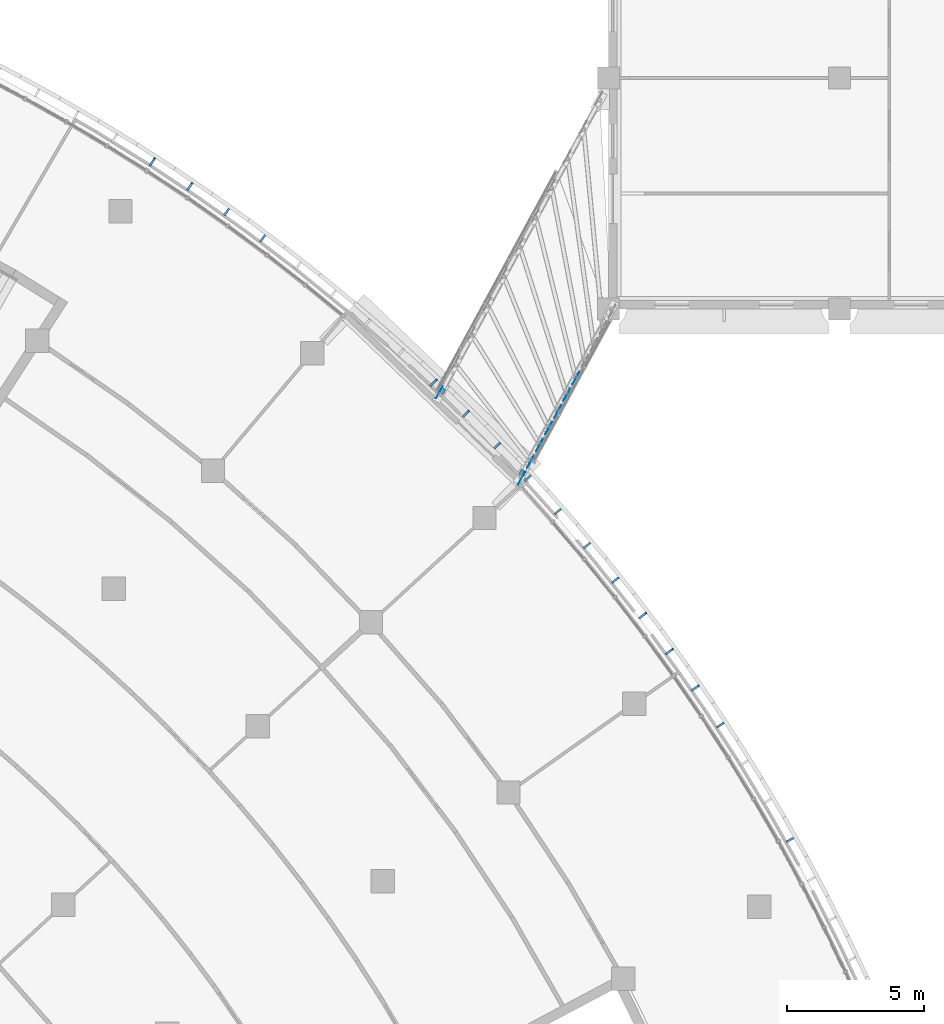
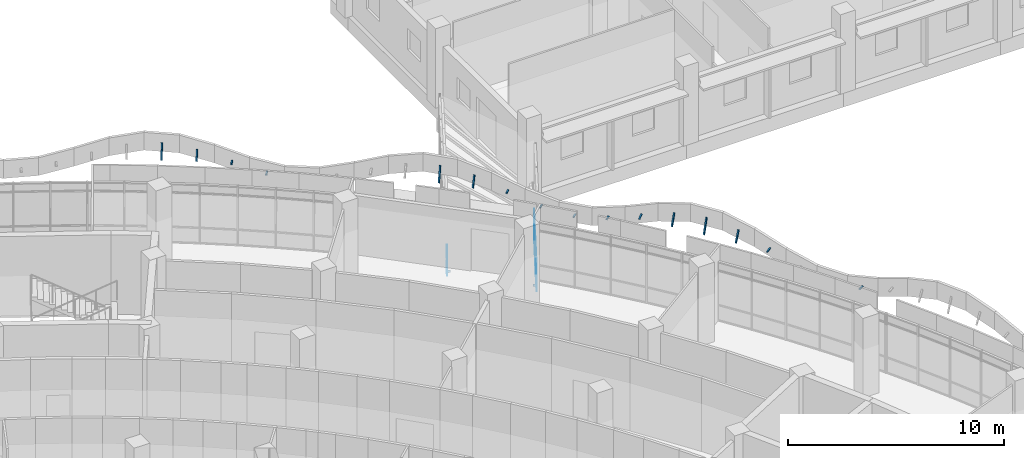
# One storey, part 108 of 136: 34 discrete accessories.
"""IFC4 building model written with IfcOpenShell, lengths in metres."""

from ifc_helpers import new_model, si_unit, direction, frame, origin, origin_2d, place, context, subcontext, project, spatial, rectangle, extrude, material, layer, layer_set, material_profile, profile_set, type_object, element, save


model = new_model("IFC4")

# Units and contexts
model_context = context("Model", 3, precision=1e-05, world=origin(), true_north=direction((0.0, 1.0)))
body_context = subcontext(model_context, "Body", "Model", "MODEL_VIEW")
ifc_project = project(units=[si_unit("LENGTHUNIT", "METRE"), si_unit("AREAUNIT", "SQUARE_METRE"), si_unit("VOLUMEUNIT", "CUBIC_METRE"), si_unit("PLANEANGLEUNIT", "RADIAN"), si_unit("MASSUNIT", "GRAM", prefix="KILO")], contexts=[model_context])

# Site, building, storey
site_placement = place(None, origin())
site = spatial("IfcSite", under=ifc_project, at=site_placement, CompositionType="ELEMENT")
building_placement = place(site_placement, origin())
building = spatial("IfcBuilding", under=site, at=building_placement, Name="Bougainvillea Quay General Hospital", CompositionType="ELEMENT")
storey_placement = place(building_placement, frame((0.0, 0.0, 5.39990234375)))
storey = spatial("IfcBuildingStorey", under=building, at=storey_placement, Name="L01", CompositionType="ELEMENT", Elevation=5.39990234375)

# Discrete accessories
ifc_material_1 = material(Name="Steel-reinforced elastomeric bearing pad", Category="concrete")
ifc_layer_1 = layer(ifc_material_1, 0.02001953125)
ifc_layer_set_1 = layer_set([ifc_layer_1], Name="Steel-reinforced elastomeric bearing pad")
discrete_accessory_type_1 = type_object("IfcDiscreteAccessoryType", Name="FIXED BEARING PAD 200x200x20", PredefinedType="SHOE", material=ifc_layer_set_1)
for number, where, z_axis, x_axis, name in (
    (1, (157.739990234375, 72.627197265625, -0.58984375), (0.0, 0.0, 1.0), (0.477017642189, 0.878893718854, 0.0), "Bridge bearing pad"),
    (2, (160.6708984375, 69.64208984375, -0.58984375), (0.0, 0.0, 1.0), (0.477017642189, 0.878893718854, 0.0), "Bridge bearing pad"),
):
    element("IfcDiscreteAccessory", number, at=place(storey_placement, frame(where, z_axis=z_axis, x_axis=x_axis)), inside=storey, type_object=discrete_accessory_type_1, Name=name, PredefinedType="SHOE", context=body_context, shape_type="SweptSolid", body=[
        extrude(rectangle(XDim=0.199951171875, YDim=0.199951171875, at=origin_2d()), origin(), (0.0, 0.0, 1.0), 0.02001953125),
    ])
ifc_material_2 = material(Name="Steel Q355", Category="steel")
ifc_layer_2 = layer(ifc_material_2, 0.011962890625)
ifc_layer_set_2 = layer_set([ifc_layer_2], Name="Steel Q355")
discrete_accessory_type_2 = type_object("IfcDiscreteAccessoryType", Name="GUSSET PLATE 500x500x12", PredefinedType="BRACKET", material=ifc_layer_set_2)
for number, where, z_axis, x_axis, name in (
    (3, (157.643798828125, 72.572509765625, -0.594970703125), (0.0, 0.0, 1.0), (0.477017642189, 0.878893718854, 0.0), "Gusset plate"),
    (4, (157.643798828125, 72.572509765625, 0.30517578125), (0.0, 0.0, 1.0), (0.477017642189, 0.878893718854, 0.0), "Gusset plate"),
    (5, (160.623779296875, 69.43310546875, -0.594970703125), (0.0, 0.0, 1.0), (0.477017642189, 0.878893718854, 0.0), "Gusset plate"),
    (6, (160.95458984375, 70.0419921875, -0.594970703125), (0.0, 0.0, 1.0), (0.477017642189, 0.878893718854, 0.0), "Gusset plate"),
    (7, (161.284912109375, 70.65087890625, -0.594970703125), (0.0, 0.0, 1.0), (0.477017642189, 0.878893718854, 0.0), "Gusset plate"),
    (8, (161.615478515625, 71.260009765625, -0.594970703125), (0.0, 0.0, 1.0), (0.477017642189, 0.878893718854, 0.0), "Gusset plate"),
    (9, (161.946044921875, 71.868896484375, -0.594970703125), (0.0, 0.0, 1.0), (0.477017642189, 0.878893718854, 0.0), "Gusset plate"),
    (10, (162.276611328125, 72.477783203125, -0.594970703125), (0.0, 0.0, 1.0), (0.477017642189, 0.878893718854, 0.0), "Gusset plate"),
    (11, (162.607177734375, 73.0869140625, -0.594970703125), (0.0, 0.0, 1.0), (0.477017642189, 0.878893718854, 0.0), "Gusset plate"),
    (12, (160.623779296875, 69.43310546875, 0.30517578125), (0.0, 0.0, 1.0), (0.477017642189, 0.878893718854, 0.0), "Gusset plate"),
    (13, (160.95458984375, 70.0419921875, 0.30517578125), (0.0, 0.0, 1.0), (0.477017642189, 0.878893718854, 0.0), "Gusset plate"),
    (14, (161.284912109375, 70.65087890625, 0.30517578125), (0.0, 0.0, 1.0), (0.477017642189, 0.878893718854, 0.0), "Gusset plate"),
    (15, (161.615478515625, 71.260009765625, 0.30517578125), (0.0, 0.0, 1.0), (0.477017642189, 0.878893718854, 0.0), "Gusset plate"),
    (16, (161.946044921875, 71.868896484375, 0.30517578125), (0.0, 0.0, 1.0), (0.477017642189, 0.878893718854, 0.0), "Gusset plate"),
    (17, (162.276611328125, 72.477783203125, 0.30517578125), (0.0, 0.0, 1.0), (0.477017642189, 0.878893718854, 0.0), "Gusset plate"),
    (18, (162.607177734375, 73.0869140625, 0.30517578125), (0.0, 0.0, 1.0), (0.477017642189, 0.878893718854, 0.0), "Gusset plate"),
):
    element("IfcDiscreteAccessory", number, at=place(storey_placement, frame(where, z_axis=z_axis, x_axis=x_axis)), inside=storey, type_object=discrete_accessory_type_2, Name=name, PredefinedType="BRACKET", context=body_context, shape_type="SweptSolid", body=[
        extrude(rectangle(XDim=0.5, YDim=0.011962890625, at=origin_2d()), origin(), (0.0, 0.0, 1.0), 0.5),
    ])
ifc_material_3 = material(Name="Stainless steel bracket, grade 316", Category="steel")
ifc_material_profile = material_profile(ifc_material_3, rectangle(XDim=0.080078125, YDim=0.050048828125, at=origin_2d()))
ifc_profile_set = profile_set([ifc_material_profile], Name="Stainless steel bracket, grade 316")
discrete_accessory_type_3 = type_object("IfcDiscreteAccessoryType", Name="Stainless steel stand-off bracket 80x50", PredefinedType="BRACKET", material=ifc_profile_set)
discrete_accessory_1_placement = place(storey_placement, frame((170.260986328125, 56.219482421875, 3.97265625), z_axis=(0.872270034902, 0.489024525164, 0.0), x_axis=(-0.489024525164, 0.872270034902, 0.0)))
element("IfcDiscreteAccessory", 19, at=discrete_accessory_1_placement, inside=storey, type_object=discrete_accessory_type_3, Name="Fascia bracket a23 18", PredefinedType="BRACKET", context=body_context, shape_type="SweptSolid", body=[
    extrude(rectangle(XDim=0.080078125, YDim=0.050048828125, at=origin_2d()), origin(), (0.0, 0.0, 1.0), 0.300048828125),
])
discrete_accessory_2_placement = place(storey_placement, frame((167.732666015625, 60.3837890625, 4.440185546875), z_axis=(0.825953295541, 0.541529689878, 0.156674020069), x_axis=(-0.548301004953, 0.836281057999, 0.0)))
element("IfcDiscreteAccessory", 20, at=discrete_accessory_2_placement, inside=storey, type_object=discrete_accessory_type_3, Name="Fascia bracket a23 21", PredefinedType="BRACKET", context=body_context, shape_type="SweptSolid", body=[
    extrude(rectangle(XDim=0.080078125, YDim=0.050048828125, at=origin_2d()), origin(), (0.0, 0.0, 1.0), 0.303955078125),
])
discrete_accessory_3_placement = place(storey_placement, frame((166.826416015625, 61.731689453125, 4.440185546875), z_axis=(0.383047411194, 0.264458054415, 0.885063058902), x_axis=(-0.568151345887, 0.822924084085, 0.0)))
element("IfcDiscreteAccessory", 21, at=discrete_accessory_3_placement, inside=storey, type_object=discrete_accessory_type_3, Name="Fascia bracket a23 22", PredefinedType="BRACKET", context=body_context, shape_type="SweptSolid", body=[
    extrude(rectangle(XDim=0.080078125, YDim=0.050048828125, at=origin_2d()), origin(), (0.0, 0.0, 1.0), 0.644287109375),
])
discrete_accessory_4_placement = place(storey_placement, frame((165.888916015625, 63.05810546875, 4.440185546875), z_axis=(0.284378099942, 0.206066944782, 0.936304176292), x_axis=(-0.586767514731, 0.809755446821, 0.0)))
element("IfcDiscreteAccessory", 22, at=discrete_accessory_4_placement, inside=storey, type_object=discrete_accessory_type_3, Name="Fascia bracket a23 23", PredefinedType="BRACKET", context=body_context, shape_type="SweptSolid", body=[
    extrude(rectangle(XDim=0.080078125, YDim=0.050048828125, at=origin_2d()), origin(), (0.0, 0.0, 1.0), 0.854248046875),
])
discrete_accessory_5_placement = place(storey_placement, frame((164.921142578125, 64.3623046875, 4.440185546875), z_axis=(0.353814181652, 0.269159254753, 0.895750423077), x_axis=(-0.605454603706, 0.795879841968, 0.0)))
element("IfcDiscreteAccessory", 23, at=discrete_accessory_5_placement, inside=storey, type_object=discrete_accessory_type_3, Name="Fascia bracket a23 24", PredefinedType="BRACKET", context=body_context, shape_type="SweptSolid", body=[
    extrude(rectangle(XDim=0.080078125, YDim=0.050048828125, at=origin_2d()), origin(), (0.0, 0.0, 1.0), 0.6748046875),
])
discrete_accessory_6_placement = place(storey_placement, frame((163.923095703125, 65.643798828125, 4.440185546875), z_axis=(0.744645165447, 0.593546510648, 0.305296769184), x_axis=(-0.623304791369, 0.781978987605, 0.0)))
element("IfcDiscreteAccessory", 24, at=discrete_accessory_6_placement, inside=storey, type_object=discrete_accessory_type_3, Name="Fascia bracket a23 25", PredefinedType="BRACKET", context=body_context, shape_type="SweptSolid", body=[
    extrude(rectangle(XDim=0.080078125, YDim=0.050048828125, at=origin_2d()), origin(), (0.0, 0.0, 1.0), 0.315185546875),
])
discrete_accessory_7_placement = place(storey_placement, frame((162.895751953125, 66.90185546875, 4.00732421875), z_axis=(0.767018582202, 0.641624886173, 0.0), x_axis=(-0.641624886173, 0.767018582202, 0.0)))
element("IfcDiscreteAccessory", 25, at=discrete_accessory_7_placement, inside=storey, type_object=discrete_accessory_type_3, Name="Fascia bracket a23 26", PredefinedType="BRACKET", context=body_context, shape_type="SweptSolid", body=[
    extrude(rectangle(XDim=0.080078125, YDim=0.050048828125, at=origin_2d()), origin(), (0.0, 0.0, 1.0), 0.2998046875),
])
for number, where, z_axis, x_axis, name in (
    (26, (161.83935546875, 68.1357421875, 3.76123046875), (0.751971412186, 0.659195718475, 0.0), (-0.659195718475, 0.751971412186, 0.0), "Fascia bracket a23 27"),
    (27, (160.754638671875, 69.3447265625, 3.939697265625), (0.736951521373, 0.67594560073, 0.0), (-0.67594560073, 0.736951521373, 0.0), "Fascia bracket a23 28"),
    (28, (159.642333984375, 70.528076171875, 4.43994140625), (0.720801797987, 0.693141232376, 0.0), (-0.693141232376, 0.720801797987, 0.0), "Fascia bracket a23 29"),
):
    element("IfcDiscreteAccessory", number, at=place(storey_placement, frame(where, z_axis=z_axis, x_axis=x_axis)), inside=storey, type_object=discrete_accessory_type_3, Name=name, PredefinedType="BRACKET", context=body_context, shape_type="SweptSolid", body=[
        extrude(rectangle(XDim=0.080078125, YDim=0.050048828125, at=origin_2d()), origin(), (0.0, 0.0, 1.0), 0.300048828125),
    ])
discrete_accessory_8_placement = place(storey_placement, frame((158.502685546875, 71.685302734375, 4.440185546875), z_axis=(0.344798748902, 0.347585805764, 0.871950646761), x_axis=(-0.70994734782, 0.704254757402, 0.0)))
element("IfcDiscreteAccessory", 29, at=discrete_accessory_8_placement, inside=storey, type_object=discrete_accessory_type_3, Name="Fascia bracket a23 30", PredefinedType="BRACKET", context=body_context, shape_type="SweptSolid", body=[
    extrude(rectangle(XDim=0.080078125, YDim=0.050048828125, at=origin_2d()), origin(), (0.0, 0.0, 1.0), 0.61328125),
])
discrete_accessory_9_placement = place(storey_placement, frame((157.336669921875, 72.81591796875, 4.440185546875), z_axis=(0.242351681326, 0.255831597329, 0.935850338658), x_axis=(-0.72597406998, 0.687722073019, 0.0)))
element("IfcDiscreteAccessory", 30, at=discrete_accessory_9_placement, inside=storey, type_object=discrete_accessory_type_3, Name="Fascia bracket a23 31", PredefinedType="BRACKET", context=body_context, shape_type="SweptSolid", body=[
    extrude(rectangle(XDim=0.080078125, YDim=0.050048828125, at=origin_2d()), origin(), (0.0, 0.0, 1.0), 0.851318359375),
])
for number, where, z_axis, x_axis, name in (
    (31, (151.13037109375, 78.046875, 3.90966796875), (0.598957825591, 0.80078057117, 0.0), (-0.80078057117, 0.598957825591, 0.0), "Fascia bracket a23 36"),
    (32, (149.818603515625, 79.004638671875, 4.392333984375), (0.58016009624, 0.814502463305, 0.0), (-0.814502463305, 0.58016009624, 0.0), "Fascia bracket a23 37"),
):
    element("IfcDiscreteAccessory", number, at=place(storey_placement, frame(where, z_axis=z_axis, x_axis=x_axis)), inside=storey, type_object=discrete_accessory_type_3, Name=name, PredefinedType="BRACKET", context=body_context, shape_type="SweptSolid", body=[
        extrude(rectangle(XDim=0.080078125, YDim=0.050048828125, at=origin_2d()), origin(), (0.0, 0.0, 1.0), 0.300048828125),
    ])
discrete_accessory_10_placement = place(storey_placement, frame((148.485107421875, 79.931884765625, 4.440185546875), z_axis=(0.28985845059, 0.42784621807, 0.856113130553), x_axis=(-0.827894302883, 0.560884144234, 0.0)))
element("IfcDiscreteAccessory", 33, at=discrete_accessory_10_placement, inside=storey, type_object=discrete_accessory_type_3, Name="Fascia bracket a23 38", PredefinedType="BRACKET", context=body_context, shape_type="SweptSolid", body=[
    extrude(rectangle(XDim=0.080078125, YDim=0.050048828125, at=origin_2d()), origin(), (0.0, 0.0, 1.0), 0.580322265625),
])
discrete_accessory_11_placement = place(storey_placement, frame((147.13037109375, 80.82763671875, 4.440185546875), z_axis=(0.19201731095, 0.298276514603, 0.934965493016), x_axis=(-0.840834497113, 0.54129229485, 0.0)))
element("IfcDiscreteAccessory", 34, at=discrete_accessory_11_placement, inside=storey, type_object=discrete_accessory_type_3, Name="Fascia bracket a23 39", PredefinedType="BRACKET", context=body_context, shape_type="SweptSolid", body=[
    extrude(rectangle(XDim=0.080078125, YDim=0.050048828125, at=origin_2d()), origin(), (0.0, 0.0, 1.0), 0.845458984375),
])

save(model, "model.ifc")
